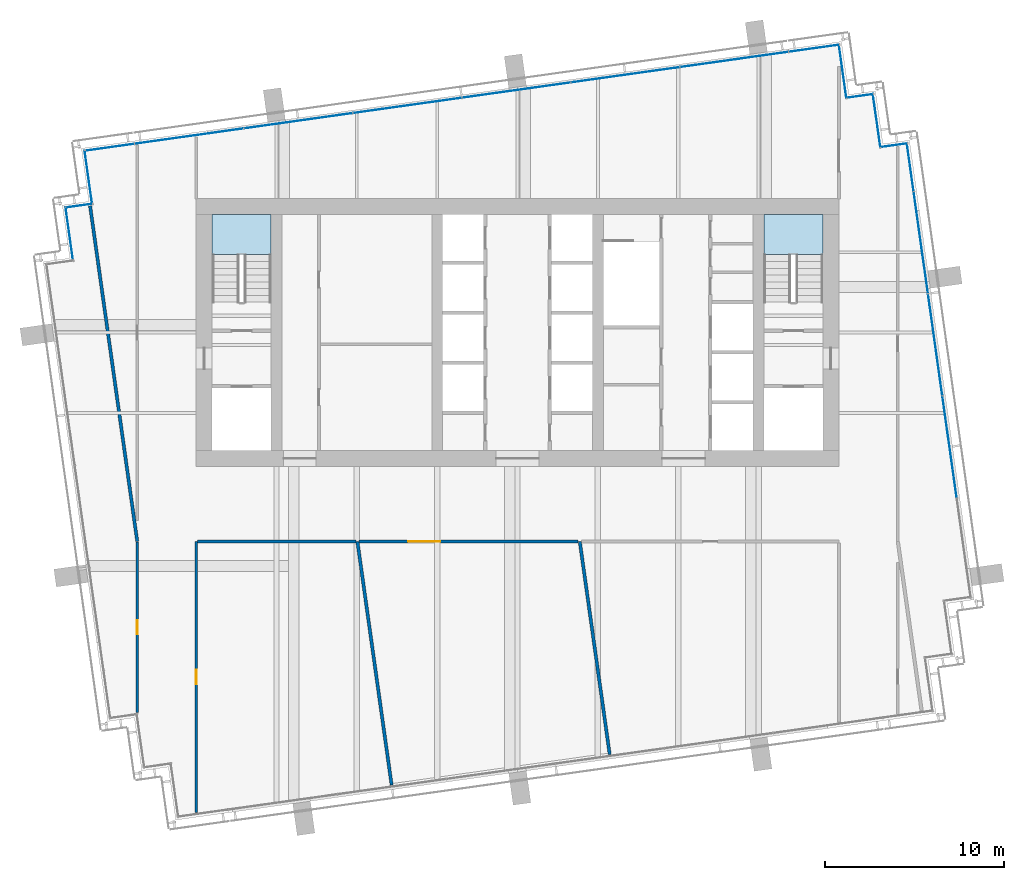
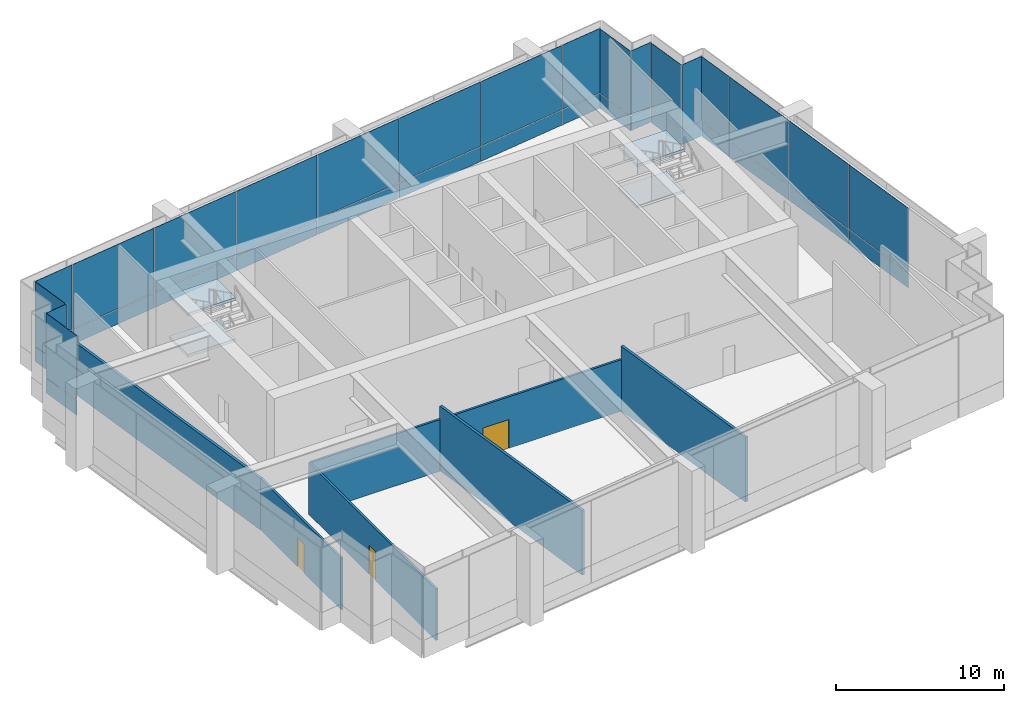
# One storey, part 18 of 25: 38 plates, 7 walls, 4 slabs, 3 doors, 3 openings, 13 elements without a shape of their own.
"""IFC4 building model written with IfcOpenShell, lengths in metres."""

from ifc_helpers import new_model, si_unit, direction, frame, frame_2d, origin, origin_2d, place, context, subcontext, project, spatial, polyline, rectangle, outline, extrude, material, layer, layer_set, type_object, element, fill, aggregate, save


model = new_model("IFC4")

# Units and contexts
model_context = context("Model", 3, precision=1e-05, world=origin(), true_north=direction((0.0, 1.0)))
body_context = subcontext(model_context, "Body", "Model", "MODEL_VIEW")
ifc_project = project(units=[si_unit("LENGTHUNIT", "METRE"), si_unit("AREAUNIT", "SQUARE_METRE"), si_unit("VOLUMEUNIT", "CUBIC_METRE"), si_unit("PLANEANGLEUNIT", "RADIAN"), si_unit("MASSUNIT", "GRAM", prefix="KILO")], contexts=[model_context])

# Site, building, storey
site_placement = place(None, origin())
site = spatial("IfcSite", under=ifc_project, at=site_placement, CompositionType="ELEMENT")
building_placement = place(site_placement, origin())
building = spatial("IfcBuilding", under=site, at=building_placement, Name="Rattan Terrace Tower", CompositionType="ELEMENT")
storey_placement = place(building_placement, frame((0.0, 0.0, 286.300048828125)))
storey = spatial("IfcBuildingStorey", under=building, at=storey_placement, Name="L66", CompositionType="ELEMENT", Elevation=286.300048828125)

# Stair, slabs
ifc_material_1 = material(Name="Concrete C40/50", Category="concrete")
stair_type = type_object("IfcStairType", Name="Core exit stair 1500", PredefinedType="HALF_TURN_STAIR", material=ifc_material_1)
stair_1_placement = place(storey_placement, origin())
stair_1 = element("IfcStair", 1, at=stair_1_placement, inside=storey, type_object=stair_type, Name="L66 exit stair 1", PredefinedType="HALF_TURN_STAIR")
ifc_material_2 = material(Name="Concrete C40/50", Category="concrete")
ifc_layer_1 = layer(ifc_material_2, 0.199951171875)
ifc_layer_set_1 = layer_set([ifc_layer_1], Name="Core exit stair landing")
slab_type = type_object("IfcSlabType", Name="Core exit stair landing", PredefinedType="LANDING", material=ifc_layer_set_1)
slab_1_placement = place(storey_placement, frame((0.0, 0.0, 1.300048828125)))
slab_1 = element("IfcSlab", 2, at=slab_1_placement, type_object=slab_type, Name="S1 landing 1", PredefinedType="LANDING", context=body_context, shape_type="SweptSolid", body=[
    extrude(outline(polyline([(-13.800048828125, 4.360107421875), (-13.800048828125, 6.60009765625), (-17.10009765625, 6.60009765625), (-17.10009765625, 4.360107421875), (-13.800048828125, 4.360107421875)])), origin(), (0.0, 0.0, 1.0), 0.199951171875),
])
slab_2_placement = place(storey_placement, frame((0.0, 0.0, 4.300048828125)))
slab_2 = element("IfcSlab", 3, at=slab_2_placement, type_object=slab_type, Name="S1 landing 3", PredefinedType="LANDING", context=body_context, shape_type="SweptSolid", body=[
    extrude(outline(polyline([(-13.800048828125, 4.360107421875), (-13.800048828125, 6.60009765625), (-17.10009765625, 6.60009765625), (-17.10009765625, 4.360107421875), (-13.800048828125, 4.360107421875)])), origin(), (0.0, 0.0, 1.0), 0.199951171875),
])
aggregate(stair_1, [slab_1, slab_2])

stair_2_placement = place(storey_placement, origin())
stair_2 = element("IfcStair", 4, at=stair_2_placement, inside=storey, type_object=stair_type, Name="L66 exit stair 2", PredefinedType="HALF_TURN_STAIR")
slab_3_placement = place(storey_placement, frame((0.0, 0.0, 1.300048828125)))
slab_3 = element("IfcSlab", 5, at=slab_3_placement, type_object=slab_type, Name="S2 landing 1", PredefinedType="LANDING", context=body_context, shape_type="SweptSolid", body=[
    extrude(outline(polyline([(17.10009765625, 4.360107421875), (17.10009765625, 6.60009765625), (13.800048828125, 6.60009765625), (13.800048828125, 4.360107421875), (17.10009765625, 4.360107421875)])), origin(), (0.0, 0.0, 1.0), 0.199951171875),
])
slab_4_placement = place(storey_placement, frame((0.0, 0.0, 4.300048828125)))
slab_4 = element("IfcSlab", 6, at=slab_4_placement, type_object=slab_type, Name="S2 landing 3", PredefinedType="LANDING", context=body_context, shape_type="SweptSolid", body=[
    extrude(outline(polyline([(17.10009765625, 4.360107421875), (17.10009765625, 6.60009765625), (13.800048828125, 6.60009765625), (13.800048828125, 4.360107421875), (17.10009765625, 4.360107421875)])), origin(), (0.0, 0.0, 1.0), 0.199951171875),
])
aggregate(stair_2, [slab_3, slab_4])

# Curtain wall, plates
ifc_material_3 = material(Name="Aluminium and structural silicone glass", Category="aluminium")
ifc_layer_2 = layer(ifc_material_3, 0.10009765625)
ifc_layer_set_2 = layer_set([ifc_layer_2], Name="Observation Structural Silicone Curtain Wall")
curtain_wall_type = type_object("IfcCurtainWallType", Name="Observation Structural Silicone Curtain Wall", PredefinedType="NOTDEFINED", material=ifc_layer_set_2)
curtain_wall_1_placement = place(storey_placement, origin())
curtain_wall_1 = element("IfcCurtainWall", 7, at=curtain_wall_1_placement, inside=storey, type_object=curtain_wall_type, Name="Observation curtain wall L66-6", PredefinedType="NOTDEFINED")
ifc_material_4 = material(Name="Laminated toughened glass", Category="glass")
ifc_layer_3 = layer(ifc_material_4, 0.011962890625)
ifc_layer_set_3 = layer_set([ifc_layer_3], Name="Observation CW Guard Glass Panel")
plate_type_1 = type_object("IfcPlateType", Name="Observation CW Guard Glass Panel", PredefinedType="CURTAIN_PANEL", material=ifc_layer_set_3)
plate_1_placement = place(storey_placement, frame((24.1962890625, -6.405029296875, 0.0), z_axis=(0.0, 0.0, 1.0), x_axis=(-0.139191775431, 0.990265444036, 0.0)))
plate_1 = element("IfcPlate", 8, at=plate_1_placement, type_object=plate_type_1, Name="Panel cwl-L66-006.2.1", PredefinedType="CURTAIN_PANEL", context=body_context, shape_type="SweptSolid", body=[
    extrude(rectangle(XDim=5.738037109375, YDim=0.011962890625, at=origin_2d()), origin(), (0.0, 0.0, 1.0), 1.074951171875),
])
plate_2_placement = place(storey_placement, frame((23.39208984375, -0.683349609375, 0.0), z_axis=(0.0, 0.0, 1.0), x_axis=(-0.139191775431, 0.990265444036, 0.0)))
plate_2 = element("IfcPlate", 9, at=plate_2_placement, type_object=plate_type_1, Name="Panel cwl-L66-006.3.1", PredefinedType="CURTAIN_PANEL", context=body_context, shape_type="SweptSolid", body=[
    extrude(rectangle(XDim=5.738037109375, YDim=0.011962890625, at=origin_2d()), origin(), (0.0, 0.0, 1.0), 1.074951171875),
])
plate_3_placement = place(storey_placement, frame((22.587890625, 5.03857421875, 0.0), z_axis=(0.0, 0.0, 1.0), x_axis=(-0.139191775431, 0.990265444036, 0.0)))
plate_3 = element("IfcPlate", 10, at=plate_3_placement, type_object=plate_type_1, Name="Panel cwl-L66-006.4.1", PredefinedType="CURTAIN_PANEL", context=body_context, shape_type="SweptSolid", body=[
    extrude(rectangle(XDim=5.738037109375, YDim=0.011962890625, at=origin_2d()), origin(), (0.0, 0.0, 1.0), 1.074951171875),
])
plate_4_placement = place(storey_placement, frame((21.99853515625, 9.230224609375, 0.0), z_axis=(0.0, 0.0, 1.0), x_axis=(-0.139191775431, 0.990265444036, 0.0)))
plate_4 = element("IfcPlate", 11, at=plate_4_placement, type_object=plate_type_1, Name="Panel cwl-L66-006.5.1", PredefinedType="CURTAIN_PANEL", context=body_context, shape_type="SweptSolid", body=[
    extrude(rectangle(XDim=2.64794921875, YDim=0.011962890625, at=origin_2d()), origin(), (0.0, 0.0, 1.0), 1.074951171875),
])

# Curtain wall, plate
curtain_wall_2_placement = place(storey_placement, origin())
curtain_wall_2 = element("IfcCurtainWall", 12, at=curtain_wall_2_placement, inside=storey, type_object=curtain_wall_type, Name="Observation curtain wall L66-7", PredefinedType="NOTDEFINED")
plate_5_placement = place(storey_placement, frame((21.094482421875, 10.49072265625, 0.0), z_axis=(0.0, 0.0, 1.0), x_axis=(-0.990240767803, -0.139367219175, 0.0)))
plate_5 = element("IfcPlate", 13, at=plate_5_placement, type_object=plate_type_1, Name="Panel cwl-L66-007.1.1", PredefinedType="CURTAIN_PANEL", context=body_context, shape_type="SweptSolid", body=[
    extrude(rectangle(XDim=1.459716796875, YDim=0.011962890625, at=origin_2d()), origin(), (0.0, 0.0, 1.0), 1.074951171875),
])

curtain_wall_3_placement = place(storey_placement, origin())
curtain_wall_3 = element("IfcCurtainWall", 14, at=curtain_wall_3_placement, inside=storey, type_object=curtain_wall_type, Name="Observation curtain wall L66-8", PredefinedType="NOTDEFINED")
plate_6_placement = place(storey_placement, frame((20.117431640625, 11.837890625, 0.0), z_axis=(0.0, 0.0, 1.0), x_axis=(-0.139321220646, 0.990247240581, 0.0)))
plate_6 = element("IfcPlate", 15, at=plate_6_placement, type_object=plate_type_1, Name="Panel cwl-L66-008.1.1", PredefinedType="CURTAIN_PANEL", context=body_context, shape_type="SweptSolid", body=[
    extrude(rectangle(XDim=2.96044921875, YDim=0.011962890625, at=origin_2d()), origin(), (0.0, 0.0, 1.0), 1.074951171875),
])

curtain_wall_4_placement = place(storey_placement, origin())
curtain_wall_4 = element("IfcCurtainWall", 16, at=curtain_wall_4_placement, inside=storey, type_object=curtain_wall_type, Name="Observation curtain wall L66-9", PredefinedType="NOTDEFINED")
plate_7_placement = place(storey_placement, frame((19.191650390625, 13.253173828125, 0.0), z_axis=(0.0, 0.0, 1.0), x_axis=(-0.990332587523, -0.138713251317, 0.0)))
plate_7 = element("IfcPlate", 17, at=plate_7_placement, type_object=plate_type_1, Name="Panel cwl-L66-009.1.1", PredefinedType="CURTAIN_PANEL", context=body_context, shape_type="SweptSolid", body=[
    extrude(rectangle(XDim=1.45947265625, YDim=0.011962890625, at=origin_2d()), origin(), (0.0, 0.0, 1.0), 1.074951171875),
])

curtain_wall_5_placement = place(storey_placement, origin())
curtain_wall_5 = element("IfcCurtainWall", 18, at=curtain_wall_5_placement, inside=storey, type_object=curtain_wall_type, Name="Observation curtain wall L66-10", PredefinedType="NOTDEFINED")
plate_8_placement = place(storey_placement, frame((18.214599609375, 14.600341796875, 0.0), z_axis=(0.0, 0.0, 1.0), x_axis=(-0.139367219175, 0.990240767803, 0.0)))
plate_8 = element("IfcPlate", 19, at=plate_8_placement, type_object=plate_type_1, Name="Panel cwl-L66-010.1.1", PredefinedType="CURTAIN_PANEL", context=body_context, shape_type="SweptSolid", body=[
    extrude(rectangle(XDim=2.959228515625, YDim=0.011962890625, at=origin_2d()), origin(), (0.0, 0.0, 1.0), 1.074951171875),
])

curtain_wall_6_placement = place(storey_placement, origin())
curtain_wall_6 = element("IfcCurtainWall", 20, at=curtain_wall_6_placement, inside=storey, type_object=curtain_wall_type, Name="Observation curtain wall L66-11", PredefinedType="NOTDEFINED")
plate_9_placement = place(storey_placement, frame((16.60546875, 15.9189453125, 0.0), z_axis=(0.0, 0.0, 1.0), x_axis=(-0.990286729519, -0.139040257974, 0.0)))
plate_9 = element("IfcPlate", 21, at=plate_9_placement, type_object=plate_type_1, Name="Panel cwl-L66-011.1.1", PredefinedType="CURTAIN_PANEL", context=body_context, shape_type="SweptSolid", body=[
    extrude(rectangle(XDim=2.839111328125, YDim=0.011962890625, at=origin_2d()), origin(), (0.0, 0.0, 1.0), 1.074951171875),
])

# Curtain wall, plates
curtain_wall_7_placement = place(storey_placement, origin())
curtain_wall_7 = element("IfcCurtainWall", 22, at=curtain_wall_7_placement, inside=storey, type_object=curtain_wall_type, Name="Observation curtain wall L66-12", PredefinedType="NOTDEFINED")
plate_10_placement = place(storey_placement, frame((12.13671875, 15.291259765625, 0.0), z_axis=(0.0, 0.0, 1.0), x_axis=(-0.990265894013, -0.139188574079, 0.0)))
plate_10 = element("IfcPlate", 23, at=plate_10_placement, type_object=plate_type_1, Name="Panel cwl-L66-012.1.1", PredefinedType="CURTAIN_PANEL", context=body_context, shape_type="SweptSolid", body=[
    extrude(rectangle(XDim=6.10595703125, YDim=0.011962890625, at=origin_2d()), origin(), (0.0, 0.0, 1.0), 1.074951171875),
])
plate_11_placement = place(storey_placement, frame((6.040771484375, 14.434326171875, 0.0), z_axis=(0.0, 0.0, 1.0), x_axis=(-0.990265894013, -0.139188574079, 0.0)))
plate_11 = element("IfcPlate", 24, at=plate_11_placement, type_object=plate_type_1, Name="Panel cwl-L66-012.2.1", PredefinedType="CURTAIN_PANEL", context=body_context, shape_type="SweptSolid", body=[
    extrude(rectangle(XDim=6.1259765625, YDim=0.011962890625, at=origin_2d()), origin(), (0.0, 0.0, 1.0), 1.074951171875),
])
plate_12_placement = place(storey_placement, frame((-0.065185546875, 13.576171875, 0.0), z_axis=(0.0, 0.0, 1.0), x_axis=(-0.990265894013, -0.139188574079, 0.0)))
plate_12 = element("IfcPlate", 25, at=plate_12_placement, type_object=plate_type_1, Name="Panel cwl-L66-012.3.1", PredefinedType="CURTAIN_PANEL", context=body_context, shape_type="SweptSolid", body=[
    extrude(rectangle(XDim=6.1259765625, YDim=0.011962890625, at=origin_2d()), origin(), (0.0, 0.0, 1.0), 1.074951171875),
])
plate_13_placement = place(storey_placement, frame((-6.17138671875, 12.7177734375, 0.0), z_axis=(0.0, 0.0, 1.0), x_axis=(-0.990265894013, -0.139188574079, 0.0)))
plate_13 = element("IfcPlate", 26, at=plate_13_placement, type_object=plate_type_1, Name="Panel cwl-L66-012.4.1", PredefinedType="CURTAIN_PANEL", context=body_context, shape_type="SweptSolid", body=[
    extrude(rectangle(XDim=6.1259765625, YDim=0.011962890625, at=origin_2d()), origin(), (0.0, 0.0, 1.0), 1.074951171875),
])
plate_14_placement = place(storey_placement, frame((-12.27734375, 11.859619140625, 0.0), z_axis=(0.0, 0.0, 1.0), x_axis=(-0.990265894013, -0.139188574079, 0.0)))
plate_14 = element("IfcPlate", 27, at=plate_14_placement, type_object=plate_type_1, Name="Panel cwl-L66-012.5.1", PredefinedType="CURTAIN_PANEL", context=body_context, shape_type="SweptSolid", body=[
    extrude(rectangle(XDim=6.1259765625, YDim=0.011962890625, at=origin_2d()), origin(), (0.0, 0.0, 1.0), 1.074951171875),
])
plate_15_placement = place(storey_placement, frame((-18.395263671875, 10.999755859375, 0.0), z_axis=(0.0, 0.0, 1.0), x_axis=(-0.990265894013, -0.139188574079, 0.0)))
plate_15 = element("IfcPlate", 28, at=plate_15_placement, type_object=plate_type_1, Name="Panel cwl-L66-012.6.1", PredefinedType="CURTAIN_PANEL", context=body_context, shape_type="SweptSolid", body=[
    extrude(rectangle(XDim=6.150146484375, YDim=0.011962890625, at=origin_2d()), origin(), (0.0, 0.0, 1.0), 1.074951171875),
])

# Curtain wall, plate
curtain_wall_8_placement = place(storey_placement, origin())
curtain_wall_8 = element("IfcCurtainWall", 29, at=curtain_wall_8_placement, inside=storey, type_object=curtain_wall_type, Name="Observation curtain wall L66-13", PredefinedType="NOTDEFINED")
plate_16_placement = place(storey_placement, frame((-22.836669921875, 10.375732421875, 0.0), z_axis=(0.0, 0.0, 1.0), x_axis=(-0.990293172258, -0.138994363123, 0.0)))
plate_16 = element("IfcPlate", 30, at=plate_16_placement, type_object=plate_type_1, Name="Panel cwl-L66-013.1.1", PredefinedType="CURTAIN_PANEL", context=body_context, shape_type="SweptSolid", body=[
    extrude(rectangle(XDim=2.740234375, YDim=0.011962890625, at=origin_2d()), origin(), (0.0, 0.0, 1.0), 1.074951171875),
])

curtain_wall_9_placement = place(storey_placement, origin())
curtain_wall_9 = element("IfcCurtainWall", 31, at=curtain_wall_9_placement, inside=storey, type_object=curtain_wall_type, Name="Observation curtain wall L66-14", PredefinedType="NOTDEFINED")
plate_17_placement = place(storey_placement, frame((-24.03857421875, 8.722412109375, 0.0), z_axis=(0.0, 0.0, 1.0), x_axis=(0.138994363123, -0.990293172258, 0.0)))
plate_17 = element("IfcPlate", 32, at=plate_17_placement, type_object=plate_type_1, Name="Panel cwl-L66-014.1.1", PredefinedType="CURTAIN_PANEL", context=body_context, shape_type="SweptSolid", body=[
    extrude(rectangle(XDim=2.9599609375, YDim=0.011962890625, at=origin_2d()), origin(), (0.0, 0.0, 1.0), 1.074951171875),
])

curtain_wall_10_placement = place(storey_placement, origin())
curtain_wall_10 = element("IfcCurtainWall", 33, at=curtain_wall_10_placement, inside=storey, type_object=curtain_wall_type, Name="Observation curtain wall L66-15", PredefinedType="NOTDEFINED")
plate_18_placement = place(storey_placement, frame((-24.538818359375, 7.10693359375, 0.0), z_axis=(0.0, 0.0, 1.0), x_axis=(-0.990240767803, -0.139367219175, 0.0)))
plate_18 = element("IfcPlate", 34, at=plate_18_placement, type_object=plate_type_1, Name="Panel cwl-L66-015.1.1", PredefinedType="CURTAIN_PANEL", context=body_context, shape_type="SweptSolid", body=[
    extrude(rectangle(XDim=1.45947265625, YDim=0.011962890625, at=origin_2d()), origin(), (0.0, 0.0, 1.0), 1.074951171875),
])

curtain_wall_11_placement = place(storey_placement, origin())
curtain_wall_11 = element("IfcCurtainWall", 35, at=curtain_wall_11_placement, inside=storey, type_object=curtain_wall_type, Name="Observation curtain wall L66-16", PredefinedType="NOTDEFINED")
plate_19_placement = place(storey_placement, frame((-25.106201171875, 5.54296875, 0.0), z_axis=(0.0, 0.0, 1.0), x_axis=(0.139367219175, -0.990240767803, 0.0)))
plate_19 = element("IfcPlate", 36, at=plate_19_placement, type_object=plate_type_1, Name="Panel cwl-L66-016.1.1", PredefinedType="CURTAIN_PANEL", context=body_context, shape_type="SweptSolid", body=[
    extrude(rectangle(XDim=2.959228515625, YDim=0.011962890625, at=origin_2d()), origin(), (0.0, 0.0, 1.0), 1.074951171875),
])

# Plate
ifc_material_5 = material(Name="Triple laminated low-iron glass", Category="glass")
ifc_layer_4 = layer(ifc_material_5, 0.02197265625)
ifc_layer_set_4 = layer_set([ifc_layer_4], Name="Observation CW Vision Panel")
plate_type_2 = type_object("IfcPlateType", Name="Observation CW Vision Panel", PredefinedType="CURTAIN_PANEL", material=ifc_layer_set_4)
plate_20_placement = place(storey_placement, frame((24.1962890625, -6.405029296875, 1.125), z_axis=(0.0, 0.0, 1.0), x_axis=(-0.139191775431, 0.990265444036, 0.0)))
plate_20 = element("IfcPlate", 37, at=plate_20_placement, type_object=plate_type_2, Name="Panel cwl-L66-006.2.2", PredefinedType="CURTAIN_PANEL", context=body_context, shape_type="SweptSolid", body=[
    extrude(rectangle(XDim=5.738037109375, YDim=0.02197265625, at=origin_2d()), origin(), (0.0, 0.0, 1.0), 4.675048828125),
])

plate_21_placement = place(storey_placement, frame((23.39208984375, -0.683349609375, 1.125), z_axis=(0.0, 0.0, 1.0), x_axis=(-0.139191775431, 0.990265444036, 0.0)))
plate_21 = element("IfcPlate", 38, at=plate_21_placement, type_object=plate_type_2, Name="Panel cwl-L66-006.3.2", PredefinedType="CURTAIN_PANEL", context=body_context, shape_type="SweptSolid", body=[
    extrude(rectangle(XDim=5.738037109375, YDim=0.02197265625, at=origin_2d()), origin(), (0.0, 0.0, 1.0), 4.675048828125),
])

plate_22_placement = place(storey_placement, frame((22.587890625, 5.03857421875, 1.125), z_axis=(0.0, 0.0, 1.0), x_axis=(-0.139191775431, 0.990265444036, 0.0)))
plate_22 = element("IfcPlate", 39, at=plate_22_placement, type_object=plate_type_2, Name="Panel cwl-L66-006.4.2", PredefinedType="CURTAIN_PANEL", context=body_context, shape_type="SweptSolid", body=[
    extrude(rectangle(XDim=5.738037109375, YDim=0.02197265625, at=origin_2d()), origin(), (0.0, 0.0, 1.0), 4.675048828125),
])

plate_23_placement = place(storey_placement, frame((21.99853515625, 9.230224609375, 1.125), z_axis=(0.0, 0.0, 1.0), x_axis=(-0.139191775431, 0.990265444036, 0.0)))
plate_23 = element("IfcPlate", 40, at=plate_23_placement, type_object=plate_type_2, Name="Panel cwl-L66-006.5.2", PredefinedType="CURTAIN_PANEL", context=body_context, shape_type="SweptSolid", body=[
    extrude(rectangle(XDim=2.64794921875, YDim=0.02197265625, at=origin_2d()), origin(), (0.0, 0.0, 1.0), 4.675048828125),
])

aggregate(curtain_wall_1, [plate_1, plate_20, plate_2, plate_21, plate_3, plate_22, plate_4, plate_23])

plate_24_placement = place(storey_placement, frame((21.094482421875, 10.49072265625, 1.125), z_axis=(0.0, 0.0, 1.0), x_axis=(-0.990240767803, -0.139367219175, 0.0)))
plate_24 = element("IfcPlate", 41, at=plate_24_placement, type_object=plate_type_2, Name="Panel cwl-L66-007.1.2", PredefinedType="CURTAIN_PANEL", context=body_context, shape_type="SweptSolid", body=[
    extrude(rectangle(XDim=1.459716796875, YDim=0.02197265625, at=origin_2d()), origin(), (0.0, 0.0, 1.0), 4.675048828125),
])

aggregate(curtain_wall_2, [plate_5, plate_24])

plate_25_placement = place(storey_placement, frame((20.117431640625, 11.837890625, 1.125), z_axis=(0.0, 0.0, 1.0), x_axis=(-0.139321220646, 0.990247240581, 0.0)))
plate_25 = element("IfcPlate", 42, at=plate_25_placement, type_object=plate_type_2, Name="Panel cwl-L66-008.1.2", PredefinedType="CURTAIN_PANEL", context=body_context, shape_type="SweptSolid", body=[
    extrude(rectangle(XDim=2.96044921875, YDim=0.02197265625, at=origin_2d()), origin(), (0.0, 0.0, 1.0), 4.675048828125),
])

aggregate(curtain_wall_3, [plate_6, plate_25])

plate_26_placement = place(storey_placement, frame((19.191650390625, 13.253173828125, 1.125), z_axis=(0.0, 0.0, 1.0), x_axis=(-0.990332587523, -0.138713251317, 0.0)))
plate_26 = element("IfcPlate", 43, at=plate_26_placement, type_object=plate_type_2, Name="Panel cwl-L66-009.1.2", PredefinedType="CURTAIN_PANEL", context=body_context, shape_type="SweptSolid", body=[
    extrude(rectangle(XDim=1.45947265625, YDim=0.02197265625, at=origin_2d()), origin(), (0.0, 0.0, 1.0), 4.675048828125),
])

aggregate(curtain_wall_4, [plate_7, plate_26])

plate_27_placement = place(storey_placement, frame((18.214599609375, 14.600341796875, 1.125), z_axis=(0.0, 0.0, 1.0), x_axis=(-0.139367219175, 0.990240767803, 0.0)))
plate_27 = element("IfcPlate", 44, at=plate_27_placement, type_object=plate_type_2, Name="Panel cwl-L66-010.1.2", PredefinedType="CURTAIN_PANEL", context=body_context, shape_type="SweptSolid", body=[
    extrude(rectangle(XDim=2.959228515625, YDim=0.02197265625, at=origin_2d()), origin(), (0.0, 0.0, 1.0), 4.675048828125),
])

aggregate(curtain_wall_5, [plate_8, plate_27])

plate_28_placement = place(storey_placement, frame((16.60546875, 15.9189453125, 1.125), z_axis=(0.0, 0.0, 1.0), x_axis=(-0.990286729519, -0.139040257974, 0.0)))
plate_28 = element("IfcPlate", 45, at=plate_28_placement, type_object=plate_type_2, Name="Panel cwl-L66-011.1.2", PredefinedType="CURTAIN_PANEL", context=body_context, shape_type="SweptSolid", body=[
    extrude(rectangle(XDim=2.839111328125, YDim=0.02197265625, at=origin_2d()), origin(), (0.0, 0.0, 1.0), 4.675048828125),
])

aggregate(curtain_wall_6, [plate_9, plate_28])

plate_29_placement = place(storey_placement, frame((12.13671875, 15.291259765625, 1.125), z_axis=(0.0, 0.0, 1.0), x_axis=(-0.990265894013, -0.139188574079, 0.0)))
plate_29 = element("IfcPlate", 46, at=plate_29_placement, type_object=plate_type_2, Name="Panel cwl-L66-012.1.2", PredefinedType="CURTAIN_PANEL", context=body_context, shape_type="SweptSolid", body=[
    extrude(rectangle(XDim=6.10595703125, YDim=0.02197265625, at=origin_2d()), origin(), (0.0, 0.0, 1.0), 4.675048828125),
])

plate_30_placement = place(storey_placement, frame((6.040771484375, 14.434326171875, 1.125), z_axis=(0.0, 0.0, 1.0), x_axis=(-0.990265894013, -0.139188574079, 0.0)))
plate_30 = element("IfcPlate", 47, at=plate_30_placement, type_object=plate_type_2, Name="Panel cwl-L66-012.2.2", PredefinedType="CURTAIN_PANEL", context=body_context, shape_type="SweptSolid", body=[
    extrude(rectangle(XDim=6.1259765625, YDim=0.02197265625, at=origin_2d()), origin(), (0.0, 0.0, 1.0), 4.675048828125),
])

plate_31_placement = place(storey_placement, frame((-0.065185546875, 13.576171875, 1.125), z_axis=(0.0, 0.0, 1.0), x_axis=(-0.990265894013, -0.139188574079, 0.0)))
plate_31 = element("IfcPlate", 48, at=plate_31_placement, type_object=plate_type_2, Name="Panel cwl-L66-012.3.2", PredefinedType="CURTAIN_PANEL", context=body_context, shape_type="SweptSolid", body=[
    extrude(rectangle(XDim=6.1259765625, YDim=0.02197265625, at=origin_2d()), origin(), (0.0, 0.0, 1.0), 4.675048828125),
])

plate_32_placement = place(storey_placement, frame((-6.17138671875, 12.7177734375, 1.125), z_axis=(0.0, 0.0, 1.0), x_axis=(-0.990265894013, -0.139188574079, 0.0)))
plate_32 = element("IfcPlate", 49, at=plate_32_placement, type_object=plate_type_2, Name="Panel cwl-L66-012.4.2", PredefinedType="CURTAIN_PANEL", context=body_context, shape_type="SweptSolid", body=[
    extrude(rectangle(XDim=6.1259765625, YDim=0.02197265625, at=origin_2d()), origin(), (0.0, 0.0, 1.0), 4.675048828125),
])

plate_33_placement = place(storey_placement, frame((-12.27734375, 11.859619140625, 1.125), z_axis=(0.0, 0.0, 1.0), x_axis=(-0.990265894013, -0.139188574079, 0.0)))
plate_33 = element("IfcPlate", 50, at=plate_33_placement, type_object=plate_type_2, Name="Panel cwl-L66-012.5.2", PredefinedType="CURTAIN_PANEL", context=body_context, shape_type="SweptSolid", body=[
    extrude(rectangle(XDim=6.1259765625, YDim=0.02197265625, at=origin_2d()), origin(), (0.0, 0.0, 1.0), 4.675048828125),
])

plate_34_placement = place(storey_placement, frame((-18.395263671875, 10.999755859375, 1.125), z_axis=(0.0, 0.0, 1.0), x_axis=(-0.990265894013, -0.139188574079, 0.0)))
plate_34 = element("IfcPlate", 51, at=plate_34_placement, type_object=plate_type_2, Name="Panel cwl-L66-012.6.2", PredefinedType="CURTAIN_PANEL", context=body_context, shape_type="SweptSolid", body=[
    extrude(rectangle(XDim=6.150146484375, YDim=0.02197265625, at=origin_2d()), origin(), (0.0, 0.0, 1.0), 4.675048828125),
])

aggregate(curtain_wall_7, [plate_10, plate_29, plate_11, plate_30, plate_12, plate_31, plate_13, plate_32, plate_14, plate_33, plate_15, plate_34])

plate_35_placement = place(storey_placement, frame((-22.836669921875, 10.375732421875, 1.125), z_axis=(0.0, 0.0, 1.0), x_axis=(-0.990293172258, -0.138994363123, 0.0)))
plate_35 = element("IfcPlate", 52, at=plate_35_placement, type_object=plate_type_2, Name="Panel cwl-L66-013.1.2", PredefinedType="CURTAIN_PANEL", context=body_context, shape_type="SweptSolid", body=[
    extrude(rectangle(XDim=2.740234375, YDim=0.02197265625, at=origin_2d()), origin(), (0.0, 0.0, 1.0), 4.675048828125),
])

aggregate(curtain_wall_8, [plate_16, plate_35])

plate_36_placement = place(storey_placement, frame((-24.03857421875, 8.722412109375, 1.125), z_axis=(0.0, 0.0, 1.0), x_axis=(0.138994363123, -0.990293172258, 0.0)))
plate_36 = element("IfcPlate", 53, at=plate_36_placement, type_object=plate_type_2, Name="Panel cwl-L66-014.1.2", PredefinedType="CURTAIN_PANEL", context=body_context, shape_type="SweptSolid", body=[
    extrude(rectangle(XDim=2.9599609375, YDim=0.02197265625, at=origin_2d()), origin(), (0.0, 0.0, 1.0), 4.675048828125),
])

aggregate(curtain_wall_9, [plate_17, plate_36])

plate_37_placement = place(storey_placement, frame((-24.538818359375, 7.10693359375, 1.125), z_axis=(0.0, 0.0, 1.0), x_axis=(-0.990240767803, -0.139367219175, 0.0)))
plate_37 = element("IfcPlate", 54, at=plate_37_placement, type_object=plate_type_2, Name="Panel cwl-L66-015.1.2", PredefinedType="CURTAIN_PANEL", context=body_context, shape_type="SweptSolid", body=[
    extrude(rectangle(XDim=1.45947265625, YDim=0.02197265625, at=origin_2d()), origin(), (0.0, 0.0, 1.0), 4.675048828125),
])

aggregate(curtain_wall_10, [plate_18, plate_37])

plate_38_placement = place(storey_placement, frame((-25.106201171875, 5.54296875, 1.125), z_axis=(0.0, 0.0, 1.0), x_axis=(0.139367219175, -0.990240767803, 0.0)))
plate_38 = element("IfcPlate", 55, at=plate_38_placement, type_object=plate_type_2, Name="Panel cwl-L66-016.1.2", PredefinedType="CURTAIN_PANEL", context=body_context, shape_type="SweptSolid", body=[
    extrude(rectangle(XDim=2.959228515625, YDim=0.02197265625, at=origin_2d()), origin(), (0.0, 0.0, 1.0), 4.675048828125),
])

aggregate(curtain_wall_11, [plate_19, plate_38])

# Walls
ifc_material_6 = material(Name="Double steel stud acoustic partition, gypsum board, mineral wool, fire rated", Category="steel")
ifc_layer_5 = layer(ifc_material_6, 0.179931640625)
ifc_layer_set_5 = layer_set([ifc_layer_5], Name="Floors Acoustic Party Wall 180")
wall_type_1 = type_object("IfcWallType", Name="Floors Acoustic Party Wall 180", PredefinedType="PARTITIONING", material=ifc_layer_set_5)
wall_1_placement = place(storey_placement, frame((3.485107421875, -11.699951171875, 0.0), z_axis=(0.0, 0.0, 1.0), x_axis=(0.139114157963, -0.990276350851, 0.0)))
element("IfcWall", 56, at=wall_1_placement, inside=storey, type_object=wall_type_1, Name="pt-L66-012", PredefinedType="PARTITIONING", context=body_context, shape_type="SweptSolid", body=[
    extrude(rectangle(XDim=12.046142578125, YDim=0.179931640625, at=frame_2d((6.02294921875, 0.0))), origin(), (0.0, 0.0, 1.0), 4.699951171875),
])
wall_2_placement = place(storey_placement, frame((-7.052001953125, -25.345947265625, 0.0), z_axis=(0.0, 0.0, 1.0), x_axis=(-0.139183709079, 0.99026657781, 0.0)))
element("IfcWall", 57, at=wall_2_placement, inside=storey, type_object=wall_type_1, Name="pt-L66-013", PredefinedType="PARTITIONING", context=body_context, shape_type="SweptSolid", body=[
    extrude(rectangle(XDim=13.780029296875, YDim=0.179931640625, at=frame_2d((6.89013671875, 0.0))), origin(), (0.0, 0.0, 1.0), 4.699951171875),
])
wall_3_placement = place(storey_placement, frame((-23.94189453125, 7.10107421875, 0.0), z_axis=(0.0, 0.0, 1.0), x_axis=(0.139170292898, -0.990268463385, 0.0)))
element("IfcWall", 58, at=wall_3_placement, inside=storey, type_object=wall_type_1, Name="pt-L66-014", PredefinedType="PARTITIONING", context=body_context, shape_type="SweptSolid", body=[
    extrude(rectangle(XDim=18.98291015625, YDim=0.179931640625, at=frame_2d((9.491455078125, 0.0))), origin(), (0.0, 0.0, 1.0), 3.75),
])

# Wall, opening, door
ifc_material_7 = material(Name="Gypsum board partition on steel studs, fire rated", Category="steel")
ifc_layer_6 = layer(ifc_material_7, 0.14990234375)
ifc_layer_set_6 = layer_set([ifc_layer_6], Name="Floors Tenancy Wall 150")
wall_type_2 = type_object("IfcWallType", Name="Floors Tenancy Wall 150", PredefinedType="PARTITIONING", material=ifc_layer_set_6)
wall_4_placement = place(storey_placement, frame((3.39599609375, -11.699951171875, 0.0), z_axis=(0.0, 0.0, 1.0), x_axis=(-1.0, 0.0, 0.0)))
wall_4 = element("IfcWall", 59, at=wall_4_placement, inside=storey, type_object=wall_type_2, Name="pt-L66-003", PredefinedType="PARTITIONING", context=body_context, shape_type="SweptSolid", body=[
    extrude(rectangle(XDim=12.264892578125, YDim=0.14990234375, at=frame_2d((6.13232421875, 0.0))), origin(), (0.0, 0.0, 1.0), 3.75),
])
opening_1_placement = place(wall_4_placement, frame((7.722900390625, 0.0, 0.0)))
opening_1 = element("IfcOpeningElement", 60, at=opening_1_placement, cuts=wall_4, Name="Opening L66-D101", PredefinedType="OPENING", context=body_context, shape_type="SweptSolid", body=[
    extrude(rectangle(XDim=1.800048828125, YDim=2.10009765625, at=frame_2d((0.89990234375, 1.050048828125))), frame((0.0, 0.08544921875, 0.0), z_axis=(0.0, -1.0, 0.0), x_axis=(1.0, 0.0, 0.0)), (0.0, 0.0, 1.0), 0.1708984375),
])
ifc_material_8 = material(Name="Steel fire door set", Category="steel")
door_type_1 = type_object("IfcDoorType", Name="Floors Fire Door Pair FD30S 1800x2100", OperationType="NOTDEFINED", PredefinedType="DOOR", material=ifc_material_8)
door_1_placement = place(opening_1_placement, origin())
door_1 = element("IfcDoor", 61, at=door_1_placement, inside=storey, type_object=door_type_1, Name="d-L66-101", OperationType="DOUBLE_DOOR_SINGLE_SWING", OverallHeight=2.10009765625, OverallWidth=1.800048828125, PredefinedType="DOOR", context=body_context, shape_type="SweptSolid", body=[
    extrude(rectangle(XDim=1.800048828125, YDim=2.10009765625, at=frame_2d((0.89990234375, 1.050048828125))), frame((0.0, 0.02490234375, 0.0), z_axis=(0.0, -1.0, 0.0), x_axis=(1.0, 0.0, 0.0)), (0.0, 0.0, 1.0), 0.050048828125),
])
fill(opening_1, door_1)

wall_5_placement = place(storey_placement, frame((-18.0, -11.699951171875, 0.0), z_axis=(0.0, 0.0, 1.0), x_axis=(0.0, -1.0, 0.0)))
wall_5 = element("IfcWall", 62, at=wall_5_placement, inside=storey, type_object=wall_type_2, Name="pt-L66-006", PredefinedType="PARTITIONING", context=body_context, shape_type="SweptSolid", body=[
    extrude(rectangle(XDim=15.18310546875, YDim=0.14990234375, at=frame_2d((7.591552734375, 0.0))), origin(), (0.0, 0.0, 1.0), 3.75),
])
opening_2_placement = place(wall_5_placement, frame((7.19189453125, 0.0, 0.0)))
opening_2 = element("IfcOpeningElement", 63, at=opening_2_placement, cuts=wall_5, Name="Opening L66-D103", PredefinedType="OPENING", context=body_context, shape_type="SweptSolid", body=[
    extrude(rectangle(XDim=0.800048828125, YDim=2.10009765625, at=frame_2d((0.39990234375, 1.050048828125))), frame((0.0, 0.08544921875, 0.0), z_axis=(0.0, -1.0, 0.0), x_axis=(1.0, 0.0, 0.0)), (0.0, 0.0, 1.0), 0.1708984375),
])
ifc_material_9 = material(Name="Steel fire door set", Category="steel")
door_type_2 = type_object("IfcDoorType", Name="Floors Store Door FD30S 800x2100", OperationType="NOTDEFINED", PredefinedType="DOOR", material=ifc_material_9)
door_2_placement = place(opening_2_placement, origin())
door_2 = element("IfcDoor", 64, at=door_2_placement, inside=storey, type_object=door_type_2, Name="d-L66-103", OperationType="SINGLE_SWING_RIGHT", OverallHeight=2.10009765625, OverallWidth=0.800048828125, PredefinedType="DOOR", context=body_context, shape_type="SweptSolid", body=[
    extrude(rectangle(XDim=0.800048828125, YDim=2.10009765625, at=frame_2d((0.39990234375, 1.050048828125))), frame((0.0, 0.02490234375, 0.0), z_axis=(0.0, -1.0, 0.0), x_axis=(1.0, 0.0, 0.0)), (0.0, 0.0, 1.0), 0.050048828125),
])
fill(opening_2, door_2)

# Wall
wall_6_placement = place(storey_placement, frame((-9.05908203125, -11.699951171875, 0.0), z_axis=(0.0, 0.0, 1.0), x_axis=(-1.0, 0.0, 0.0)))
element("IfcWall", 65, at=wall_6_placement, inside=storey, type_object=wall_type_2, Name="pt-L66-007", PredefinedType="PARTITIONING", context=body_context, shape_type="SweptSolid", body=[
    extrude(rectangle(XDim=8.865966796875, YDim=0.14990234375, at=frame_2d((4.43310546875, 0.0))), origin(), (0.0, 0.0, 1.0), 3.75),
])

# Wall, opening, door
wall_7_placement = place(storey_placement, frame((-21.300048828125, -21.287109375, 0.0), z_axis=(0.0, 0.0, 1.0), x_axis=(0.0, 1.0, 0.0)))
wall_7 = element("IfcWall", 66, at=wall_7_placement, inside=storey, type_object=wall_type_2, Name="pt-L66-008", PredefinedType="PARTITIONING", context=body_context, shape_type="SweptSolid", body=[
    extrude(rectangle(XDim=9.570068359375, YDim=0.14990234375, at=frame_2d((4.78515625, 0.0))), origin(), (0.0, 0.0, 1.0), 3.75),
])
opening_3_placement = place(wall_7_placement, frame((4.385009765625, 0.0, 0.0)))
opening_3 = element("IfcOpeningElement", 67, at=opening_3_placement, cuts=wall_7, Name="Opening L66-D104", PredefinedType="OPENING", context=body_context, shape_type="SweptSolid", body=[
    extrude(rectangle(XDim=0.800048828125, YDim=2.10009765625, at=frame_2d((0.39990234375, 1.050048828125))), frame((0.0, 0.08544921875, 0.0), z_axis=(0.0, -1.0, 0.0), x_axis=(1.0, 0.0, 0.0)), (0.0, 0.0, 1.0), 0.1708984375),
])
door_3_placement = place(opening_3_placement, origin())
door_3 = element("IfcDoor", 68, at=door_3_placement, inside=storey, type_object=door_type_2, Name="d-L66-104", OperationType="SINGLE_SWING_LEFT", OverallHeight=2.10009765625, OverallWidth=0.800048828125, PredefinedType="DOOR", context=body_context, shape_type="SweptSolid", body=[
    extrude(rectangle(XDim=0.800048828125, YDim=2.10009765625, at=frame_2d((0.39990234375, 1.050048828125))), frame((0.0, 0.02490234375, 0.0), z_axis=(0.0, -1.0, 0.0), x_axis=(1.0, 0.0, 0.0)), (0.0, 0.0, 1.0), 0.050048828125),
])
fill(opening_3, door_3)

save(model, "model.ifc")
